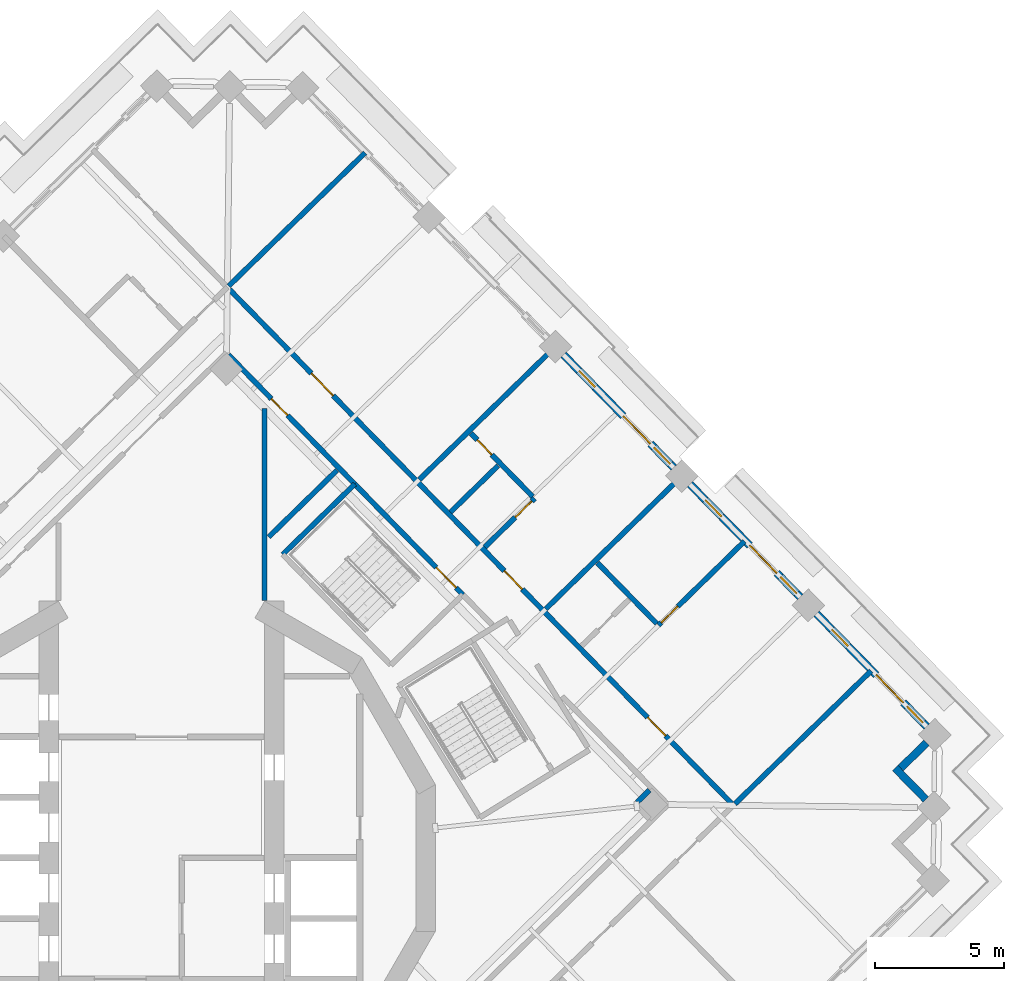
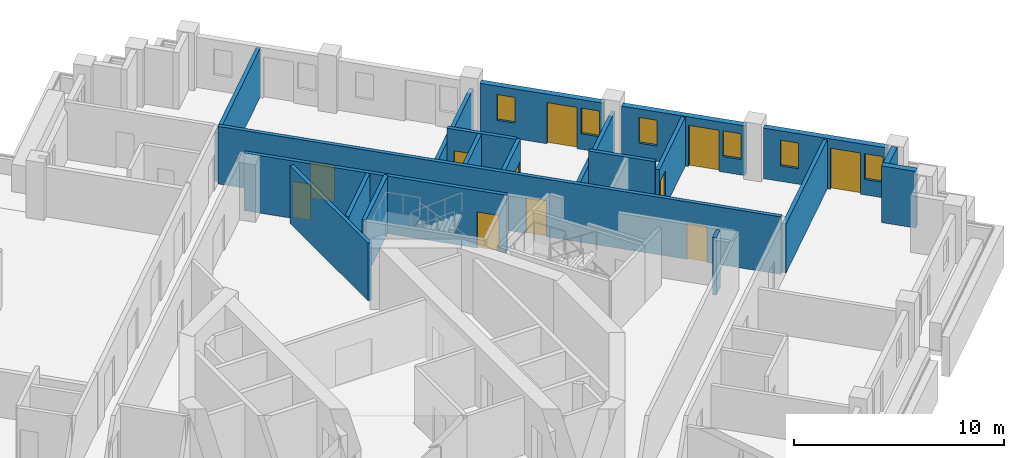
# One storey, part 10 of 19: 21 walls, 11 doors, 6 windows, 17 openings.
"""IFC4 building model written with IfcOpenShell, lengths in metres."""

from ifc_helpers import new_model, si_unit, direction, frame, frame_2d, origin, place, context, subcontext, project, spatial, rectangle, extrude, material, layer, layer_set, type_object, element, fill, save


model = new_model("IFC4")

# Units and contexts
model_context = context("Model", 3, precision=1e-05, world=origin(), true_north=direction((0.0, 1.0)))
body_context = subcontext(model_context, "Body", "Model", "MODEL_VIEW")
ifc_project = project(units=[si_unit("LENGTHUNIT", "METRE"), si_unit("AREAUNIT", "SQUARE_METRE"), si_unit("VOLUMEUNIT", "CUBIC_METRE"), si_unit("PLANEANGLEUNIT", "RADIAN"), si_unit("MASSUNIT", "GRAM", prefix="KILO")], contexts=[model_context])

# Site, building, storey
site_placement = place(None, origin())
site = spatial("IfcSite", under=ifc_project, at=site_placement, CompositionType="ELEMENT")
building_placement = place(site_placement, origin())
building = spatial("IfcBuilding", under=site, at=building_placement, Name="Cantera Rosa Tower", CompositionType="ELEMENT")
storey_placement = place(building_placement, frame((0.0, 0.0, 216.199951171875)))
storey = spatial("IfcBuildingStorey", under=building, at=storey_placement, Name="L46", CompositionType="ELEMENT", Elevation=216.199951171875)

# Wall
ifc_material_1 = material(Name="Gypsum board partition")
ifc_layer_1 = layer(ifc_material_1, 0.199951171875)
ifc_layer_set_1 = layer_set([ifc_layer_1], Name="CORRIDOR WALL 200 H3350")
wall_type_1 = type_object("IfcWallType", Name="CORRIDOR WALL 200 H3350", PredefinedType="PARTITIONING", material=ifc_layer_set_1)
wall_1_placement = place(storey_placement, frame((4.0, 17.44189453125, 0.0), z_axis=(0.0, 0.0, 1.0), x_axis=(0.0, -1.0, 0.0)))
element("IfcWall", 1, at=wall_1_placement, inside=storey, type_object=wall_type_1, Name="CORRIDOR WALL L46-077", PredefinedType="PARTITIONING", context=body_context, shape_type="SweptSolid", body=[
    extrude(rectangle(XDim=7.44775390625, YDim=0.199951171875, at=frame_2d((3.723876953125, 0.0))), origin(), (0.0, 0.0, 1.0), 3.35009765625),
])

# Wall, opening, door
wall_2_placement = place(storey_placement, frame((7.498779296875, 14.50439453125, 0.0), z_axis=(0.0, 0.0, 1.0), x_axis=(-0.69881117118, 0.715306191106, 0.0)))
wall_2 = element("IfcWall", 2, at=wall_2_placement, inside=storey, type_object=wall_type_1, Name="CORRIDOR WALL L46-087", PredefinedType="PARTITIONING", context=body_context, shape_type="SweptSolid", body=[
    extrude(rectangle(XDim=7.015625, YDim=0.199951171875, at=frame_2d((3.5078125, 0.0))), origin(), (0.0, 0.0, 1.0), 3.35009765625),
])
opening_1_placement = place(wall_2_placement, frame((3.728515625, 0.0, 0.0)))
opening_1 = element("IfcOpeningElement", 3, at=opening_1_placement, cuts=wall_2, Name="Opening L46-007", PredefinedType="OPENING", context=body_context, shape_type="SweptSolid", body=[
    extrude(rectangle(XDim=0.89990234375, YDim=2.10009765625, at=frame_2d((0.449951171875, 1.050048828125))), frame((0.0, 0.10986328125, 0.0), z_axis=(0.0, -1.0, 0.0), x_axis=(1.0, 0.0, 0.0)), (0.0, 0.0, 1.0), 0.219970703125),
])
ifc_material_2 = material(Name="Timber door leaf", Category="wood")
door_type_1 = type_object("IfcDoorType", Name="SERVICE DOOR 900x2100", OperationType="NOTDEFINED", PredefinedType="DOOR", material=ifc_material_2)
door_1_placement = place(opening_1_placement, origin())
door_1 = element("IfcDoor", 4, at=door_1_placement, inside=storey, type_object=door_type_1, Name="DOOR L46-007", OperationType="NOTDEFINED", OverallHeight=2.10009765625, OverallWidth=0.89990234375, PredefinedType="DOOR", context=body_context, shape_type="SweptSolid", body=[
    extrude(rectangle(XDim=0.89990234375, YDim=2.10009765625, at=frame_2d((0.449951171875, 1.050048828125))), frame((0.0, 0.02490234375, 0.0), z_axis=(0.0, -1.0, 0.0), x_axis=(1.0, 0.0, 0.0)), (0.0, 0.0, 1.0), 0.050048828125),
])
fill(opening_1, door_1)

# Wall, openings, doors
wall_3_placement = place(storey_placement, frame((22.123291015625, 2.111572265625, 0.0), z_axis=(0.0, 0.0, 1.0), x_axis=(-0.698836336697, 0.715281605042, 0.0)))
wall_3 = element("IfcWall", 5, at=wall_3_placement, inside=storey, type_object=wall_type_1, Name="CORRIDOR WALL L46-123", PredefinedType="PARTITIONING", context=body_context, shape_type="SweptSolid", body=[
    extrude(rectangle(XDim=27.880126953125, YDim=0.199951171875, at=frame_2d((13.93994140625, 0.0))), origin(), (0.0, 0.0, 1.0), 3.35009765625),
])
opening_2_placement = place(wall_3_placement, frame((3.669921875, 0.0, 0.0)))
opening_2 = element("IfcOpeningElement", 6, at=opening_2_placement, cuts=wall_3, Name="Opening L46-023", PredefinedType="OPENING", context=body_context, shape_type="SweptSolid", body=[
    extrude(rectangle(XDim=1.0, YDim=2.10009765625, at=frame_2d((0.5, 1.050048828125))), frame((0.0, 0.10986328125, 0.0), z_axis=(0.0, -1.0, 0.0), x_axis=(1.0, 0.0, 0.0)), (0.0, 0.0, 1.0), 0.219970703125),
])
opening_3_placement = place(wall_3_placement, frame((22.1298828125, 0.0, 0.0)))
opening_3 = element("IfcOpeningElement", 7, at=opening_3_placement, cuts=wall_3, Name="Opening L46-026", PredefinedType="OPENING", context=body_context, shape_type="SweptSolid", body=[
    extrude(rectangle(XDim=1.199951171875, YDim=2.10009765625, at=frame_2d((0.60009765625, 1.050048828125))), frame((0.0, 0.10986328125, 0.0), z_axis=(0.0, -1.0, 0.0), x_axis=(1.0, 0.0, 0.0)), (0.0, 0.0, 1.0), 0.219970703125),
])
opening_4_placement = place(wall_3_placement, frame((11.625, 0.0, 0.0)))
opening_4 = element("IfcOpeningElement", 8, at=opening_4_placement, cuts=wall_3, Name="Opening L46-027", PredefinedType="OPENING", context=body_context, shape_type="SweptSolid", body=[
    extrude(rectangle(XDim=1.0, YDim=2.10009765625, at=frame_2d((0.5, 1.050048828125))), frame((0.0, 0.10986328125, 0.0), z_axis=(0.0, -1.0, 0.0), x_axis=(1.0, 0.0, 0.0)), (0.0, 0.0, 1.0), 0.219970703125),
])
ifc_material_3 = material(Name="Timber door leaf", Category="wood")
door_type_2 = type_object("IfcDoorType", Name="ENTRANCE DOOR 1000x2100", OperationType="NOTDEFINED", PredefinedType="DOOR", material=ifc_material_3)
door_2_placement = place(opening_2_placement, origin())
door_2 = element("IfcDoor", 9, at=door_2_placement, inside=storey, type_object=door_type_2, Name="DOOR L46-023", OperationType="NOTDEFINED", OverallHeight=2.10009765625, OverallWidth=1.0, PredefinedType="DOOR", context=body_context, shape_type="SweptSolid", body=[
    extrude(rectangle(XDim=1.0, YDim=2.10009765625, at=frame_2d((0.5, 1.050048828125))), frame((0.0, 0.02490234375, 0.0), z_axis=(0.0, -1.0, 0.0), x_axis=(1.0, 0.0, 0.0)), (0.0, 0.0, 1.0), 0.050048828125),
])
fill(opening_2, door_2)
door_3_placement = place(opening_4_placement, origin())
door_3 = element("IfcDoor", 10, at=door_3_placement, inside=storey, type_object=door_type_2, Name="DOOR L46-027", OperationType="NOTDEFINED", OverallHeight=2.10009765625, OverallWidth=1.0, PredefinedType="DOOR", context=body_context, shape_type="SweptSolid", body=[
    extrude(rectangle(XDim=1.0, YDim=2.10009765625, at=frame_2d((0.5, 1.050048828125))), frame((0.0, 0.02490234375, 0.0), z_axis=(0.0, -1.0, 0.0), x_axis=(1.0, 0.0, 0.0)), (0.0, 0.0, 1.0), 0.050048828125),
])
fill(opening_4, door_3)
ifc_material_4 = material(Name="Timber door leaf", Category="wood")
door_type_3 = type_object("IfcDoorType", Name="ROOM DOOR 1200x2100", OperationType="NOTDEFINED", PredefinedType="DOOR", material=ifc_material_4)
door_4_placement = place(opening_3_placement, origin())
door_4 = element("IfcDoor", 11, at=door_4_placement, inside=storey, type_object=door_type_3, Name="DOOR L46-026", OperationType="NOTDEFINED", OverallHeight=2.10009765625, OverallWidth=1.199951171875, PredefinedType="DOOR", context=body_context, shape_type="SweptSolid", body=[
    extrude(rectangle(XDim=1.199951171875, YDim=2.10009765625, at=frame_2d((0.60009765625, 1.050048828125))), frame((0.0, 0.02490234375, 0.0), z_axis=(0.0, -1.0, 0.0), x_axis=(1.0, 0.0, 0.0)), (0.0, 0.0, 1.0), 0.050048828125),
])
fill(opening_3, door_4)

# Walls
ifc_material_5 = material(Name="Hollow clay masonry with cantera stone cladding", Category="masonry")
ifc_layer_2 = layer(ifc_material_5, 0.300048828125)
ifc_layer_set_2 = layer_set([ifc_layer_2], Name="EW-LOGGIA 300")
wall_type_2 = type_object("IfcWallType", Name="EW-LOGGIA 300", PredefinedType="SOLIDWALL", material=ifc_layer_set_2)
wall_4_placement = place(storey_placement, frame((29.65625, 2.271484375, 0.0), z_axis=(0.0, 0.0, 1.0), x_axis=(-0.698872839675, 0.715245939495, 0.0)))
element("IfcWall", 12, at=wall_4_placement, inside=storey, type_object=wall_type_2, Name="EN-L46-W27a", PredefinedType="SOLIDWALL", context=body_context, shape_type="SweptSolid", body=[
    extrude(rectangle(XDim=1.699951171875, YDim=0.300048828125, at=frame_2d((0.85009765625, 0.0))), origin(), (0.0, 0.0, 1.0), 3.300048828125),
])
wall_5_placement = place(storey_placement, frame((28.680419921875, 3.48486328125, 0.0), z_axis=(0.0, 0.0, 1.0), x_axis=(0.71516937164, 0.698951192766, 0.0)))
element("IfcWall", 13, at=wall_5_placement, inside=storey, type_object=wall_type_2, Name="EN-L46-W27b", PredefinedType="SOLIDWALL", context=body_context, shape_type="SweptSolid", body=[
    extrude(rectangle(XDim=1.39990234375, YDim=0.300048828125, at=frame_2d((0.699951171875, 0.0))), origin(), (0.0, 0.0, 1.0), 3.300048828125),
])

# Wall, openings, windows, door
ifc_material_6 = material(Name="Hollow clay masonry with cantera stone cladding", Category="masonry")
ifc_layer_3 = layer(ifc_material_6, 0.300048828125)
ifc_layer_set_3 = layer_set([ifc_layer_3], Name="EW-LOGGIA 300 H2890")
wall_type_3 = type_object("IfcWallType", Name="EW-LOGGIA 300 H2890", PredefinedType="SOLIDWALL", material=ifc_layer_set_3)
wall_6_placement = place(storey_placement, frame((24.783203125, 10.120849609375, 0.0), z_axis=(0.0, 0.0, 1.0), x_axis=(-0.698800768177, 0.715316354067, 0.0)))
wall_6 = element("IfcWall", 14, at=wall_6_placement, inside=storey, type_object=wall_type_3, Name="EN-L46-W01", PredefinedType="SOLIDWALL", context=body_context, shape_type="SweptSolid", body=[
    extrude(rectangle(XDim=6.119873046875, YDim=0.300048828125, at=frame_2d((3.06005859375, 0.0))), origin(), (0.0, 0.0, 1.0), 2.89013671875),
])
opening_5_placement = place(wall_6_placement, frame((0.199951171875, 0.0, 0.89990234375)))
opening_5 = element("IfcOpeningElement", 15, at=opening_5_placement, cuts=wall_6, Name="Opening L46-W01", PredefinedType="OPENING", context=body_context, shape_type="SweptSolid", body=[
    extrude(rectangle(XDim=0.89990234375, YDim=1.5, at=frame_2d((0.449951171875, 0.75))), frame((0.0, 0.159912109375, 0.0), z_axis=(0.0, -1.0, 0.0), x_axis=(1.0, 0.0, 0.0)), (0.0, 0.0, 1.0), 0.320068359375),
])
opening_6_placement = place(wall_6_placement, frame((1.300048828125, 0.0, 0.0)))
opening_6 = element("IfcOpeningElement", 16, at=opening_6_placement, cuts=wall_6, Name="Opening L46-TD02", PredefinedType="OPENING", context=body_context, shape_type="SweptSolid", body=[
    extrude(rectangle(XDim=1.5, YDim=2.39990234375, at=frame_2d((0.75, 1.199951171875))), frame((0.0, 0.159912109375, 0.0), z_axis=(0.0, -1.0, 0.0), x_axis=(1.0, 0.0, 0.0)), (0.0, 0.0, 1.0), 0.320068359375),
])
opening_7_placement = place(wall_6_placement, frame((4.364990234375, 0.0, 0.89990234375)))
opening_7 = element("IfcOpeningElement", 17, at=opening_7_placement, cuts=wall_6, Name="Opening L46-W03", PredefinedType="OPENING", context=body_context, shape_type="SweptSolid", body=[
    extrude(rectangle(XDim=0.89990234375, YDim=1.5, at=frame_2d((0.449951171875, 0.75))), frame((0.0, 0.159912109375, 0.0), z_axis=(0.0, -1.0, 0.0), x_axis=(1.0, 0.0, 0.0)), (0.0, 0.0, 1.0), 0.320068359375),
])
ifc_material_7 = material(Name="Aluminium frame with clear glass", Category="aluminium")
window_type = type_object("IfcWindowType", Name="Residential window 900x1500", PartitioningType="SINGLE_PANEL", PredefinedType="WINDOW", material=ifc_material_7)
window_1_placement = place(opening_5_placement, origin())
window_1 = element("IfcWindow", 18, at=window_1_placement, inside=storey, type_object=window_type, Name="WINDOW L46-W01", OverallHeight=1.5, OverallWidth=0.89990234375, PartitioningType="SINGLE_PANEL", PredefinedType="WINDOW", context=body_context, shape_type="SweptSolid", body=[
    extrude(rectangle(XDim=0.89990234375, YDim=1.5, at=frame_2d((0.449951171875, 0.75))), frame((0.0, 0.030029296875, 0.0), z_axis=(0.0, -1.0, 0.0), x_axis=(1.0, 0.0, 0.0)), (0.0, 0.0, 1.0), 0.06005859375),
])
fill(opening_5, window_1)
window_2_placement = place(opening_7_placement, origin())
window_2 = element("IfcWindow", 19, at=window_2_placement, inside=storey, type_object=window_type, Name="WINDOW L46-W03", OverallHeight=1.5, OverallWidth=0.89990234375, PartitioningType="SINGLE_PANEL", PredefinedType="WINDOW", context=body_context, shape_type="SweptSolid", body=[
    extrude(rectangle(XDim=0.89990234375, YDim=1.5, at=frame_2d((0.449951171875, 0.75))), frame((0.0, 0.030029296875, 0.0), z_axis=(0.0, -1.0, 0.0), x_axis=(1.0, 0.0, 0.0)), (0.0, 0.0, 1.0), 0.06005859375),
])
fill(opening_7, window_2)
ifc_material_8 = material(Name="Aluminium frame with clear glass", Category="aluminium")
door_type_4 = type_object("IfcDoorType", Name="TD-R 1500x2400", OperationType="NOTDEFINED", PredefinedType="DOOR", material=ifc_material_8)
door_5_placement = place(opening_6_placement, origin())
door_5 = element("IfcDoor", 20, at=door_5_placement, inside=storey, type_object=door_type_4, Name="LOGGIA DOOR L46-TD02", OperationType="SLIDING_TO_LEFT", OverallHeight=2.39990234375, OverallWidth=1.5, PredefinedType="DOOR", context=body_context, shape_type="SweptSolid", body=[
    extrude(rectangle(XDim=1.5, YDim=2.39990234375, at=frame_2d((0.75, 1.199951171875))), frame((0.0, 0.02490234375, 0.0), z_axis=(0.0, -1.0, 0.0), x_axis=(1.0, 0.0, 0.0)), (0.0, 0.0, 1.0), 0.050048828125),
])
fill(opening_6, door_5)

wall_7_placement = place(storey_placement, frame((19.87744140625, 15.142333984375, 0.0), z_axis=(0.0, 0.0, 1.0), x_axis=(-0.698841120217, 0.71527693147, 0.0)))
wall_7 = element("IfcWall", 21, at=wall_7_placement, inside=storey, type_object=wall_type_3, Name="EN-L46-W02", PredefinedType="SOLIDWALL", context=body_context, shape_type="SweptSolid", body=[
    extrude(rectangle(XDim=6.119873046875, YDim=0.300048828125, at=frame_2d((3.06005859375, 0.0))), origin(), (0.0, 0.0, 1.0), 2.89013671875),
])
opening_8_placement = place(wall_7_placement, frame((0.199951171875, 0.0, 0.89990234375)))
opening_8 = element("IfcOpeningElement", 22, at=opening_8_placement, cuts=wall_7, Name="Opening L46-W04", PredefinedType="OPENING", context=body_context, shape_type="SweptSolid", body=[
    extrude(rectangle(XDim=0.89990234375, YDim=1.5, at=frame_2d((0.449951171875, 0.75))), frame((0.0, 0.159912109375, 0.0), z_axis=(0.0, -1.0, 0.0), x_axis=(1.0, 0.0, 0.0)), (0.0, 0.0, 1.0), 0.320068359375),
])
opening_9_placement = place(wall_7_placement, frame((1.300048828125, 0.0, 0.0)))
opening_9 = element("IfcOpeningElement", 23, at=opening_9_placement, cuts=wall_7, Name="Opening L46-TD05", PredefinedType="OPENING", context=body_context, shape_type="SweptSolid", body=[
    extrude(rectangle(XDim=1.5, YDim=2.39990234375, at=frame_2d((0.75, 1.199951171875))), frame((0.0, 0.159912109375, 0.0), z_axis=(0.0, -1.0, 0.0), x_axis=(1.0, 0.0, 0.0)), (0.0, 0.0, 1.0), 0.320068359375),
])
opening_10_placement = place(wall_7_placement, frame((4.364990234375, 0.0, 0.89990234375)))
opening_10 = element("IfcOpeningElement", 24, at=opening_10_placement, cuts=wall_7, Name="Opening L46-W06", PredefinedType="OPENING", context=body_context, shape_type="SweptSolid", body=[
    extrude(rectangle(XDim=0.89990234375, YDim=1.5, at=frame_2d((0.449951171875, 0.75))), frame((0.0, 0.159912109375, 0.0), z_axis=(0.0, -1.0, 0.0), x_axis=(1.0, 0.0, 0.0)), (0.0, 0.0, 1.0), 0.320068359375),
])
window_3_placement = place(opening_8_placement, origin())
window_3 = element("IfcWindow", 25, at=window_3_placement, inside=storey, type_object=window_type, Name="WINDOW L46-W04", OverallHeight=1.5, OverallWidth=0.89990234375, PartitioningType="SINGLE_PANEL", PredefinedType="WINDOW", context=body_context, shape_type="SweptSolid", body=[
    extrude(rectangle(XDim=0.89990234375, YDim=1.5, at=frame_2d((0.449951171875, 0.75))), frame((0.0, 0.030029296875, 0.0), z_axis=(0.0, -1.0, 0.0), x_axis=(1.0, 0.0, 0.0)), (0.0, 0.0, 1.0), 0.06005859375),
])
fill(opening_8, window_3)
window_4_placement = place(opening_10_placement, origin())
window_4 = element("IfcWindow", 26, at=window_4_placement, inside=storey, type_object=window_type, Name="WINDOW L46-W06", OverallHeight=1.5, OverallWidth=0.89990234375, PartitioningType="SINGLE_PANEL", PredefinedType="WINDOW", context=body_context, shape_type="SweptSolid", body=[
    extrude(rectangle(XDim=0.89990234375, YDim=1.5, at=frame_2d((0.449951171875, 0.75))), frame((0.0, 0.030029296875, 0.0), z_axis=(0.0, -1.0, 0.0), x_axis=(1.0, 0.0, 0.0)), (0.0, 0.0, 1.0), 0.06005859375),
])
fill(opening_10, window_4)
door_6_placement = place(opening_9_placement, origin())
door_6 = element("IfcDoor", 27, at=door_6_placement, inside=storey, type_object=door_type_4, Name="LOGGIA DOOR L46-TD05", OperationType="SLIDING_TO_LEFT", OverallHeight=2.39990234375, OverallWidth=1.5, PredefinedType="DOOR", context=body_context, shape_type="SweptSolid", body=[
    extrude(rectangle(XDim=1.5, YDim=2.39990234375, at=frame_2d((0.75, 1.199951171875))), frame((0.0, 0.02490234375, 0.0), z_axis=(0.0, -1.0, 0.0), x_axis=(1.0, 0.0, 0.0)), (0.0, 0.0, 1.0), 0.050048828125),
])
fill(opening_9, door_6)

ifc_material_9 = material(Name="Hollow clay masonry with cantera stone cladding", Category="masonry")
ifc_layer_4 = layer(ifc_material_9, 0.300048828125)
ifc_layer_set_4 = layer_set([ifc_layer_4], Name="EW-LOGGIA 300 H2940")
wall_type_4 = type_object("IfcWallType", Name="EW-LOGGIA 300 H2940", PredefinedType="SOLIDWALL", material=ifc_layer_set_4)
wall_8_placement = place(storey_placement, frame((29.689208984375, 5.099609375, 0.0), z_axis=(0.0, 0.0, 1.0), x_axis=(-0.69882117953, 0.715296413412, 0.0)))
wall_8 = element("IfcWall", 28, at=wall_8_placement, inside=storey, type_object=wall_type_4, Name="EN-L46-W28", PredefinedType="SOLIDWALL", context=body_context, shape_type="SweptSolid", body=[
    extrude(rectangle(XDim=6.1201171875, YDim=0.300048828125, at=frame_2d((3.06005859375, 0.0))), origin(), (0.0, 0.0, 1.0), 2.93994140625),
])
opening_11_placement = place(wall_8_placement, frame((0.199951171875, 0.0, 0.89990234375)))
opening_11 = element("IfcOpeningElement", 29, at=opening_11_placement, cuts=wall_8, Name="Opening L46-W52", PredefinedType="OPENING", context=body_context, shape_type="SweptSolid", body=[
    extrude(rectangle(XDim=0.89990234375, YDim=1.5, at=frame_2d((0.449951171875, 0.75))), frame((0.0, 0.159912109375, 0.0), z_axis=(0.0, -1.0, 0.0), x_axis=(1.0, 0.0, 0.0)), (0.0, 0.0, 1.0), 0.320068359375),
])
opening_12_placement = place(wall_8_placement, frame((1.300048828125, 0.0, 0.0)))
opening_12 = element("IfcOpeningElement", 30, at=opening_12_placement, cuts=wall_8, Name="Opening L46-TD53", PredefinedType="OPENING", context=body_context, shape_type="SweptSolid", body=[
    extrude(rectangle(XDim=1.5, YDim=2.39990234375, at=frame_2d((0.75, 1.199951171875))), frame((0.0, 0.159912109375, 0.0), z_axis=(0.0, -1.0, 0.0), x_axis=(1.0, 0.0, 0.0)), (0.0, 0.0, 1.0), 0.320068359375),
])
opening_13_placement = place(wall_8_placement, frame((4.364990234375, 0.0, 0.89990234375)))
opening_13 = element("IfcOpeningElement", 31, at=opening_13_placement, cuts=wall_8, Name="Opening L46-W54", PredefinedType="OPENING", context=body_context, shape_type="SweptSolid", body=[
    extrude(rectangle(XDim=0.89990234375, YDim=1.5, at=frame_2d((0.449951171875, 0.75))), frame((0.0, 0.159912109375, 0.0), z_axis=(0.0, -1.0, 0.0), x_axis=(1.0, 0.0, 0.0)), (0.0, 0.0, 1.0), 0.320068359375),
])
window_5_placement = place(opening_11_placement, origin())
window_5 = element("IfcWindow", 32, at=window_5_placement, inside=storey, type_object=window_type, Name="WINDOW L46-W52", OverallHeight=1.5, OverallWidth=0.89990234375, PartitioningType="SINGLE_PANEL", PredefinedType="WINDOW", context=body_context, shape_type="SweptSolid", body=[
    extrude(rectangle(XDim=0.89990234375, YDim=1.5, at=frame_2d((0.449951171875, 0.75))), frame((0.0, 0.030029296875, 0.0), z_axis=(0.0, -1.0, 0.0), x_axis=(1.0, 0.0, 0.0)), (0.0, 0.0, 1.0), 0.06005859375),
])
fill(opening_11, window_5)
window_6_placement = place(opening_13_placement, origin())
window_6 = element("IfcWindow", 33, at=window_6_placement, inside=storey, type_object=window_type, Name="WINDOW L46-W54", OverallHeight=1.5, OverallWidth=0.89990234375, PartitioningType="SINGLE_PANEL", PredefinedType="WINDOW", context=body_context, shape_type="SweptSolid", body=[
    extrude(rectangle(XDim=0.89990234375, YDim=1.5, at=frame_2d((0.449951171875, 0.75))), frame((0.0, 0.030029296875, 0.0), z_axis=(0.0, -1.0, 0.0), x_axis=(1.0, 0.0, 0.0)), (0.0, 0.0, 1.0), 0.06005859375),
])
fill(opening_13, window_6)
door_7_placement = place(opening_12_placement, origin())
door_7 = element("IfcDoor", 34, at=door_7_placement, inside=storey, type_object=door_type_4, Name="LOGGIA DOOR L46-TD53", OperationType="SLIDING_TO_LEFT", OverallHeight=2.39990234375, OverallWidth=1.5, PredefinedType="DOOR", context=body_context, shape_type="SweptSolid", body=[
    extrude(rectangle(XDim=1.5, YDim=2.39990234375, at=frame_2d((0.75, 1.199951171875))), frame((0.0, 0.02490234375, 0.0), z_axis=(0.0, -1.0, 0.0), x_axis=(1.0, 0.0, 0.0)), (0.0, 0.0, 1.0), 0.050048828125),
])
fill(opening_12, door_7)

# Wall, opening, door
ifc_material_10 = material(Name="Gypsum board partition")
ifc_layer_5 = layer(ifc_material_10, 0.199951171875)
ifc_layer_set_5 = layer_set([ifc_layer_5], Name="PARTITION 200 H2850")
wall_type_5 = type_object("IfcWallType", Name="PARTITION 200 H2850", PredefinedType="PARTITIONING", material=ifc_layer_set_5)
wall_9_placement = place(storey_placement, frame((22.623291015625, 12.288818359375, 0.0), z_axis=(0.0, 0.0, 1.0), x_axis=(-0.715241248144, -0.698877640903, 0.0)))
wall_9 = element("IfcWall", 35, at=wall_9_placement, inside=storey, type_object=wall_type_5, Name="PARTITION L46-124", PredefinedType="PARTITIONING", context=body_context, shape_type="SweptSolid", body=[
    extrude(rectangle(XDim=4.669921875, YDim=0.199951171875, at=frame_2d((2.3349609375, 0.0))), origin(), (0.0, 0.0, 1.0), 2.85009765625),
])
opening_14_placement = place(wall_9_placement, frame((3.6201171875, 0.0, 0.0)))
opening_14 = element("IfcOpeningElement", 36, at=opening_14_placement, cuts=wall_9, Name="Opening L46-025", PredefinedType="OPENING", context=body_context, shape_type="SweptSolid", body=[
    extrude(rectangle(XDim=0.89990234375, YDim=2.10009765625, at=frame_2d((0.449951171875, 1.050048828125))), frame((0.0, 0.10986328125, 0.0), z_axis=(0.0, -1.0, 0.0), x_axis=(1.0, 0.0, 0.0)), (0.0, 0.0, 1.0), 0.219970703125),
])
ifc_material_11 = material(Name="Timber door leaf", Category="wood")
door_type_5 = type_object("IfcDoorType", Name="ROOM DOOR 900x2100", OperationType="NOTDEFINED", PredefinedType="DOOR", material=ifc_material_11)
door_8_placement = place(opening_14_placement, origin())
door_8 = element("IfcDoor", 37, at=door_8_placement, inside=storey, type_object=door_type_5, Name="DOOR L46-025", OperationType="NOTDEFINED", OverallHeight=2.10009765625, OverallWidth=0.89990234375, PredefinedType="DOOR", context=body_context, shape_type="SweptSolid", body=[
    extrude(rectangle(XDim=0.89990234375, YDim=2.10009765625, at=frame_2d((0.449951171875, 1.050048828125))), frame((0.0, 0.02490234375, 0.0), z_axis=(0.0, -1.0, 0.0), x_axis=(1.0, 0.0, 0.0)), (0.0, 0.0, 1.0), 0.050048828125),
])
fill(opening_14, door_8)

# Wall
ifc_material_12 = material(Name="Gypsum board partition")
ifc_layer_6 = layer(ifc_material_12, 0.199951171875)
ifc_layer_set_6 = layer_set([ifc_layer_6], Name="PARTITION 200 H3350")
wall_type_6 = type_object("IfcWallType", Name="PARTITION 200 H3350", PredefinedType="PARTITIONING", material=ifc_layer_set_6)
wall_10_placement = place(storey_placement, frame((6.80810546875, 15.039794921875, 0.0), z_axis=(0.0, 0.0, 1.0), x_axis=(-0.715261294022, -0.698857125079, 0.0)))
element("IfcWall", 38, at=wall_10_placement, inside=storey, type_object=wall_type_6, Name="PARTITION L46-084", PredefinedType="PARTITIONING", context=body_context, shape_type="SweptSolid", body=[
    extrude(rectangle(XDim=3.705810546875, YDim=0.199951171875, at=frame_2d((1.85302734375, 0.0))), origin(), (0.0, 0.0, 1.0), 3.35009765625),
])

# Wall, opening, door
wall_11_placement = place(storey_placement, frame((12.00830078125, 16.47119140625, 0.0), z_axis=(0.0, 0.0, 1.0), x_axis=(0.698837785219, -0.715280189821, 0.0)))
wall_11 = element("IfcWall", 39, at=wall_11_placement, inside=storey, type_object=wall_type_6, Name="PARTITION L46-100", PredefinedType="PARTITIONING", context=body_context, shape_type="SweptSolid", body=[
    extrude(rectangle(XDim=3.429931640625, YDim=0.199951171875, at=frame_2d((1.71484375, 0.0))), origin(), (0.0, 0.0, 1.0), 3.35009765625),
])
opening_15_placement = place(wall_11_placement, frame((0.35498046875, 0.0, 0.0)))
opening_15 = element("IfcOpeningElement", 40, at=opening_15_placement, cuts=wall_11, Name="Opening L46-028", PredefinedType="OPENING", context=body_context, shape_type="SweptSolid", body=[
    extrude(rectangle(XDim=0.800048828125, YDim=2.10009765625, at=frame_2d((0.39990234375, 1.050048828125))), frame((0.0, 0.10986328125, 0.0), z_axis=(0.0, -1.0, 0.0), x_axis=(1.0, 0.0, 0.0)), (0.0, 0.0, 1.0), 0.219970703125),
])
ifc_material_13 = material(Name="Timber door leaf", Category="wood")
door_type_6 = type_object("IfcDoorType", Name="BATHROOM DOOR 800x2100", OperationType="NOTDEFINED", PredefinedType="DOOR", material=ifc_material_13)
door_9_placement = place(opening_15_placement, origin())
door_9 = element("IfcDoor", 41, at=door_9_placement, inside=storey, type_object=door_type_6, Name="DOOR L46-028", OperationType="NOTDEFINED", OverallHeight=2.10009765625, OverallWidth=0.800048828125, PredefinedType="DOOR", context=body_context, shape_type="SweptSolid", body=[
    extrude(rectangle(XDim=0.800048828125, YDim=2.10009765625, at=frame_2d((0.39990234375, 1.050048828125))), frame((0.0, 0.02490234375, 0.0), z_axis=(0.0, -1.0, 0.0), x_axis=(1.0, 0.0, 0.0)), (0.0, 0.0, 1.0), 0.050048828125),
])
fill(opening_15, door_9)

# Wall
wall_12_placement = place(storey_placement, frame((13.0615234375, 15.2216796875, 0.0), z_axis=(0.0, 0.0, 1.0), x_axis=(-0.715291472517, -0.698826236875, 0.0)))
element("IfcWall", 42, at=wall_12_placement, inside=storey, type_object=wall_type_6, Name="PARTITION L46-108", PredefinedType="PARTITIONING", context=body_context, shape_type="SweptSolid", body=[
    extrude(rectangle(XDim=2.580078125, YDim=0.199951171875, at=frame_2d((1.2900390625, 0.0))), origin(), (0.0, 0.0, 1.0), 3.35009765625),
])

# Wall, opening, door
wall_13_placement = place(storey_placement, frame((14.47509765625, 13.9462890625, 0.0), z_axis=(0.0, 0.0, 1.0), x_axis=(-0.715332030197, -0.698784721194, 0.0)))
wall_13 = element("IfcWall", 43, at=wall_13_placement, inside=storey, type_object=wall_type_6, Name="PARTITION L46-110", PredefinedType="PARTITIONING", context=body_context, shape_type="SweptSolid", body=[
    extrude(rectangle(XDim=2.699951171875, YDim=0.199951171875, at=frame_2d((1.35009765625, 0.0))), origin(), (0.0, 0.0, 1.0), 3.35009765625),
])
opening_16_placement = place(wall_13_placement, frame((0.14990234375, 0.0, 0.0)))
opening_16 = element("IfcOpeningElement", 44, at=opening_16_placement, cuts=wall_13, Name="Opening L46-029", PredefinedType="OPENING", context=body_context, shape_type="SweptSolid", body=[
    extrude(rectangle(XDim=0.89990234375, YDim=2.10009765625, at=frame_2d((0.449951171875, 1.050048828125))), frame((0.0, 0.10986328125, 0.0), z_axis=(0.0, -1.0, 0.0), x_axis=(1.0, 0.0, 0.0)), (0.0, 0.0, 1.0), 0.219970703125),
])
door_10_placement = place(opening_16_placement, origin())
door_10 = element("IfcDoor", 45, at=door_10_placement, inside=storey, type_object=door_type_5, Name="DOOR L46-029", OperationType="NOTDEFINED", OverallHeight=2.10009765625, OverallWidth=0.89990234375, PredefinedType="DOOR", context=body_context, shape_type="SweptSolid", body=[
    extrude(rectangle(XDim=0.89990234375, YDim=2.10009765625, at=frame_2d((0.449951171875, 1.050048828125))), frame((0.0, 0.02490234375, 0.0), z_axis=(0.0, -1.0, 0.0), x_axis=(1.0, 0.0, 0.0)), (0.0, 0.0, 1.0), 0.050048828125),
])
fill(opening_16, door_10)

# Walls
wall_14_placement = place(storey_placement, frame((16.9140625, 11.449951171875, 0.0), z_axis=(0.0, 0.0, 1.0), x_axis=(0.698821655965, -0.71529594795, 0.0)))
element("IfcWall", 46, at=wall_14_placement, inside=storey, type_object=wall_type_6, Name="PARTITION L46-116", PredefinedType="PARTITIONING", context=body_context, shape_type="SweptSolid", body=[
    extrude(rectangle(XDim=3.2900390625, YDim=0.199951171875, at=frame_2d((1.64501953125, 0.0))), origin(), (0.0, 0.0, 1.0), 3.35009765625),
])
wall_15_placement = place(storey_placement, frame((18.932861328125, 2.62939453125, 0.0), z_axis=(0.0, 0.0, 1.0), x_axis=(-0.715493021556, -0.698619879552, 0.0)))
element("IfcWall", 47, at=wall_15_placement, inside=storey, type_object=wall_type_6, Name="PARTITION L46-121", PredefinedType="PARTITIONING", context=body_context, shape_type="SweptSolid", body=[
    extrude(rectangle(XDim=0.679931640625, YDim=0.199951171875, at=frame_2d((0.33984375, 0.0))), origin(), (0.0, 0.0, 1.0), 3.35009765625),
])
ifc_material_14 = material(Name="Gypsum board partition")
ifc_layer_7 = layer(ifc_material_14, 0.199951171875)
ifc_layer_set_7 = layer_set([ifc_layer_7], Name="PARTY WALL 200 H2450")
wall_type_7 = type_object("IfcWallType", Name="PARTY WALL 200 H2450", PredefinedType="PARTITIONING", material=ifc_layer_set_7)
wall_16_placement = place(storey_placement, frame((10.00732421875, 14.684326171875, 0.0), z_axis=(0.0, 0.0, 1.0), x_axis=(0.715280026246, 0.698837952642, 0.0)))
element("IfcWall", 48, at=wall_16_placement, inside=storey, type_object=wall_type_7, Name="PARTY WALL L46-095", PredefinedType="PARTITIONING", context=body_context, shape_type="SweptSolid", body=[
    extrude(rectangle(XDim=7.35009765625, YDim=0.199951171875, at=frame_2d((3.675048828125, 0.0))), origin(), (0.0, 0.0, 1.0), 2.449951171875),
])
wall_17_placement = place(storey_placement, frame((14.9130859375, 9.6630859375, 0.0), z_axis=(0.0, 0.0, 1.0), x_axis=(0.715296630095, 0.698820957739, 0.0)))
element("IfcWall", 49, at=wall_17_placement, inside=storey, type_object=wall_type_7, Name="PARTY WALL L46-111", PredefinedType="PARTITIONING", context=body_context, shape_type="SweptSolid", body=[
    extrude(rectangle(XDim=7.349853515625, YDim=0.199951171875, at=frame_2d((3.6748046875, 0.0))), origin(), (0.0, 0.0, 1.0), 2.449951171875),
])
ifc_material_15 = material(Name="Gypsum board partition")
ifc_layer_8 = layer(ifc_material_15, 0.199951171875)
ifc_layer_set_8 = layer_set([ifc_layer_8], Name="PARTY WALL 200 H2850")
wall_type_8 = type_object("IfcWallType", Name="PARTY WALL 200 H2850", PredefinedType="PARTITIONING", material=ifc_layer_set_8)
wall_18_placement = place(storey_placement, frame((2.613037109375, 22.195556640625, 0.0), z_axis=(0.0, 0.0, 1.0), x_axis=(0.715301288011, 0.698816189974, 0.0)))
element("IfcWall", 50, at=wall_18_placement, inside=storey, type_object=wall_type_8, Name="PARTY WALL L46-073", PredefinedType="PARTITIONING", context=body_context, shape_type="SweptSolid", body=[
    extrude(rectangle(XDim=7.39013671875, YDim=0.199951171875, at=frame_2d((3.695068359375, 0.0))), origin(), (0.0, 0.0, 1.0), 2.85009765625),
])
wall_19_placement = place(storey_placement, frame((27.5361328125, 7.26025390625, 0.0), z_axis=(0.0, 0.0, 1.0), x_axis=(-0.715285154374, -0.698832703823, 0.0)))
element("IfcWall", 51, at=wall_19_placement, inside=storey, type_object=wall_type_8, Name="PARTY WALL L46-125", PredefinedType="PARTITIONING", context=body_context, shape_type="SweptSolid", body=[
    extrude(rectangle(XDim=7.389892578125, YDim=0.199951171875, at=frame_2d((3.69482421875, 0.0))), origin(), (0.0, 0.0, 1.0), 2.85009765625),
])
ifc_material_16 = material(Name="Concrete C50/60", Category="concrete")
ifc_layer_9 = layer(ifc_material_16, 0.199951171875)
ifc_layer_set_9 = layer_set([ifc_layer_9], Name="STAIR WALL 200 H3350")
wall_type_9 = type_object("IfcWallType", Name="STAIR WALL 200 H3350", PredefinedType="SOLIDWALL", material=ifc_layer_set_9)
wall_20_placement = place(storey_placement, frame((4.705322265625, 11.775390625, 0.0), z_axis=(0.0, 0.0, 1.0), x_axis=(0.715310770212, 0.698806483956, 0.0)))
element("IfcWall", 52, at=wall_20_placement, inside=storey, type_object=wall_type_9, Name="STAIR WALL L46-078", PredefinedType="SOLIDWALL", context=body_context, shape_type="SweptSolid", body=[
    extrude(rectangle(XDim=3.9052734375, YDim=0.199951171875, at=frame_2d((1.95263671875, 0.0))), origin(), (0.0, 0.0, 1.0), 3.35009765625),
])

# Wall, opening, door
wall_21_placement = place(storey_placement, frame((11.69189453125, 10.212890625, 0.0), z_axis=(0.0, 0.0, 1.0), x_axis=(-0.698860098963, 0.71525838833, 0.0)))
wall_21 = element("IfcWall", 53, at=wall_21_placement, inside=storey, type_object=wall_type_9, Name="STAIR WALL L46-097", PredefinedType="SOLIDWALL", context=body_context, shape_type="SweptSolid", body=[
    extrude(rectangle(XDim=6.0, YDim=0.199951171875, at=frame_2d((3.0, 0.0))), origin(), (0.0, 0.0, 1.0), 3.35009765625),
])
opening_17_placement = place(wall_21_placement, frame((0.375, 0.0, 0.0)))
opening_17 = element("IfcOpeningElement", 54, at=opening_17_placement, cuts=wall_21, Name="Opening L46-003", PredefinedType="OPENING", context=body_context, shape_type="SweptSolid", body=[
    extrude(rectangle(XDim=1.10009765625, YDim=2.10009765625, at=frame_2d((0.550048828125, 1.050048828125))), frame((0.0, 0.10986328125, 0.0), z_axis=(0.0, -1.0, 0.0), x_axis=(1.0, 0.0, 0.0)), (0.0, 0.0, 1.0), 0.219970703125),
])
ifc_material_17 = material(Name="Steel S355J2 (EN 10025-2)", Category="steel")
door_type_7 = type_object("IfcDoorType", Name="STAIR DOOR 1100x2100", OperationType="NOTDEFINED", PredefinedType="DOOR", material=ifc_material_17)
door_11_placement = place(opening_17_placement, origin())
door_11 = element("IfcDoor", 55, at=door_11_placement, inside=storey, type_object=door_type_7, Name="DOOR L46-003", OperationType="NOTDEFINED", OverallHeight=2.10009765625, OverallWidth=1.10009765625, PredefinedType="DOOR", context=body_context, shape_type="SweptSolid", body=[
    extrude(rectangle(XDim=1.10009765625, YDim=2.10009765625, at=frame_2d((0.550048828125, 1.050048828125))), frame((0.0, 0.02490234375, 0.0), z_axis=(0.0, -1.0, 0.0), x_axis=(1.0, 0.0, 0.0)), (0.0, 0.0, 1.0), 0.050048828125),
])
fill(opening_17, door_11)

save(model, "model.ifc")
